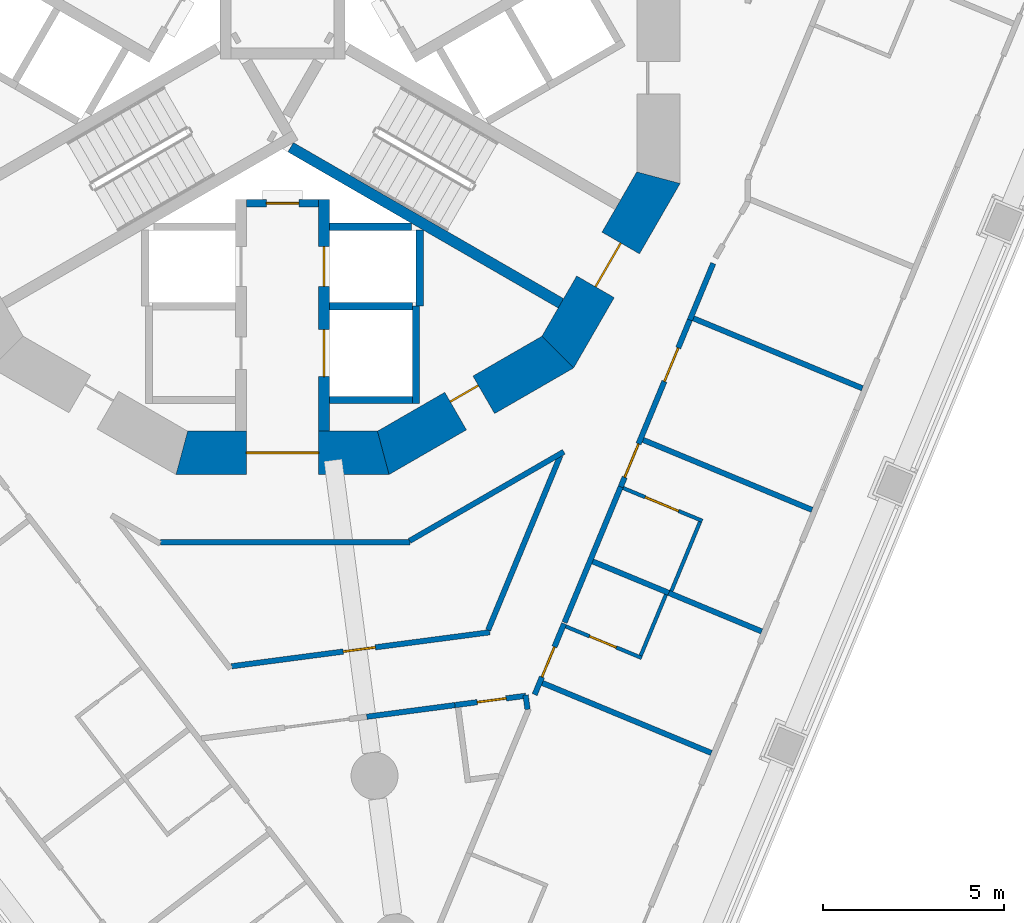
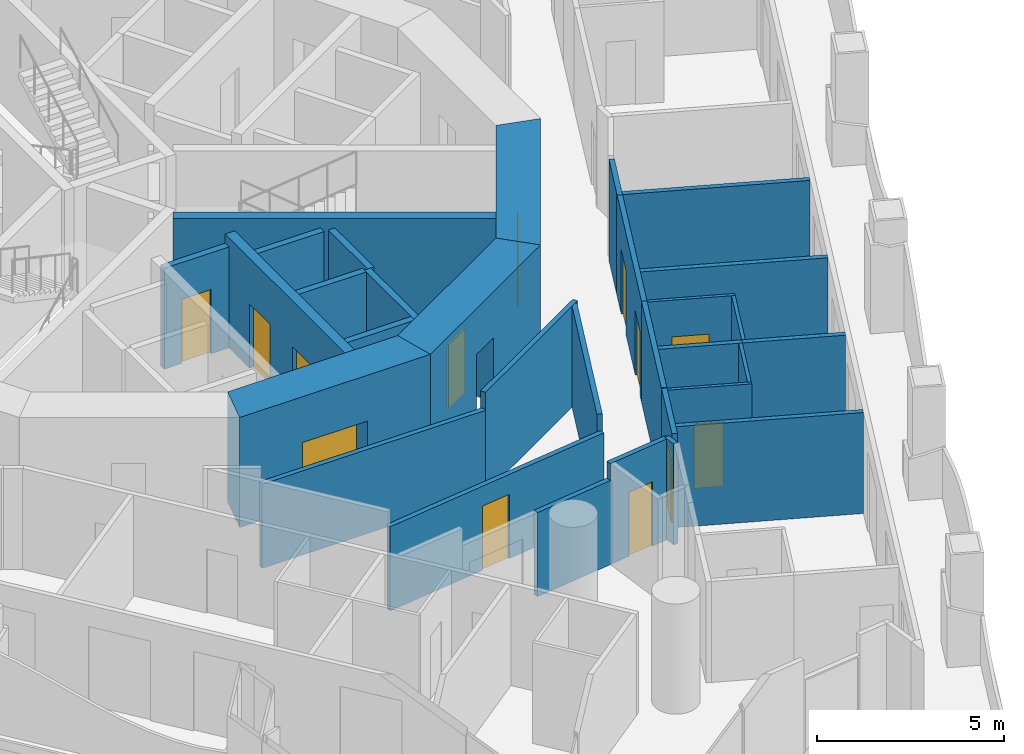
# One storey, part 4 of 19: 31 walls, 13 doors, 13 openings.
"""IFC4 building model written with IfcOpenShell, lengths in metres."""

from ifc_helpers import new_model, si_unit, direction, frame, frame_2d, origin, place, context, subcontext, project, spatial, polyline, rectangle, outline, extrude, material, layer, layer_set, type_object, element, fill, save


model = new_model("IFC4")

# Units and contexts
model_context = context("Model", 3, precision=1e-05, world=origin(), true_north=direction((0.0, 1.0)))
body_context = subcontext(model_context, "Body", "Model", "MODEL_VIEW")
ifc_project = project(units=[si_unit("LENGTHUNIT", "METRE"), si_unit("AREAUNIT", "SQUARE_METRE"), si_unit("VOLUMEUNIT", "CUBIC_METRE"), si_unit("PLANEANGLEUNIT", "RADIAN"), si_unit("MASSUNIT", "GRAM", prefix="KILO")], contexts=[model_context])

# Site, building, storey
site_placement = place(None, origin())
site = spatial("IfcSite", under=ifc_project, at=site_placement, CompositionType="ELEMENT")
building_placement = place(site_placement, origin())
building = spatial("IfcBuilding", under=site, at=building_placement, Name="Trine Commons Tower", CompositionType="ELEMENT")
storey_placement = place(building_placement, frame((0.0, 0.0, 61.199951171875)))
storey = spatial("IfcBuildingStorey", under=building, at=storey_placement, Name="L14", CompositionType="ELEMENT", Elevation=61.199951171875)

# Wall, opening, door
ifc_material_1 = material(Name="Fire-rated gypsum shaft wall system")
ifc_layer_1 = layer(ifc_material_1, 0.199951171875)
ifc_layer_set_1 = layer_set([ifc_layer_1], Name="Fire-rated gypsum shaft wall system")
wall_type_1 = type_object("IfcWallType", Name="Lobby end wall 200 mm, EI 120", PredefinedType="PARTITIONING", material=ifc_layer_set_1)
wall_1_placement = place(storey_placement, frame((79.0, 59.0, 0.0), z_axis=(0.0, 0.0, 1.0), x_axis=(1.0, 0.0, 0.0)))
wall_1 = element("IfcWall", 1, at=wall_1_placement, inside=storey, type_object=wall_type_1, Name="Lobby end wall L14", PredefinedType="PARTITIONING", context=body_context, shape_type="SweptSolid", body=[
    extrude(rectangle(XDim=2.0, YDim=0.199951171875, at=frame_2d((1.0, 0.0))), origin(), (0.0, 0.0, 1.0), 3.300048828125),
])
opening_1_placement = place(wall_1_placement, frame((0.550048828125, 0.0, 0.0)))
opening_1 = element("IfcOpeningElement", 2, at=opening_1_placement, cuts=wall_1, Name="Opening K05.09", PredefinedType="OPENING", context=body_context, shape_type="SweptSolid", body=[
    extrude(rectangle(XDim=0.89990234375, YDim=2.10009765625, at=frame_2d((0.449951171875, 1.050048828125))), frame((0.0, 0.10986328125, 0.0), z_axis=(0.0, -1.0, 0.0), x_axis=(1.0, 0.0, 0.0)), (0.0, 0.0, 1.0), 0.219970703125),
])
ifc_material_2 = material(Name="Steel door leaf, fire-rated", Category="steel")
door_type_1 = type_object("IfcDoorType", Name="Riser access door, single leaf 900 x 2100, FD60", OperationType="SINGLE_SWING_LEFT", PredefinedType="DOOR", material=ifc_material_2)
door_1_placement = place(opening_1_placement, frame((0.89990234375, 0.0, 0.0), z_axis=(0.0, 0.0, 1.0), x_axis=(-1.0, 0.0, 0.0)))
door_1 = element("IfcDoor", 3, at=door_1_placement, inside=storey, type_object=door_type_1, Name="Riser door, Communications riser L14", OperationType="SINGLE_SWING_RIGHT", OverallHeight=2.10009765625, OverallWidth=0.89990234375, PredefinedType="DOOR", context=body_context, shape_type="SweptSolid", body=[
    extrude(rectangle(XDim=0.89990234375, YDim=2.10009765625, at=frame_2d((0.449951171875, 1.050048828125))), frame((0.0, 0.02490234375, 0.0), z_axis=(0.0, -1.0, 0.0), x_axis=(1.0, 0.0, 0.0)), (0.0, 0.0, 1.0), 0.050048828125),
])
fill(opening_1, door_1)

ifc_material_3 = material(Name="Concrete C80/95", Category="concrete")
ifc_layer_2 = layer(ifc_material_3, 1.199951171875)
ifc_layer_set_2 = layer_set([ifc_layer_2], Name="Concrete C80/95")
wall_type_2 = type_object("IfcWallType", Name="RC shear wall 1200 mm, C80/95", PredefinedType="SHEAR", material=ifc_layer_set_2)
wall_2_placement = place(storey_placement, frame((77.049560546875, 52.08837890625, 0.0), z_axis=(0.0, 0.0, 1.0), x_axis=(1.0, 0.0, 0.0)))
wall_2 = element("IfcWall", 4, at=wall_2_placement, inside=storey, type_object=wall_type_2, Name="Core wall CWB-10 L14", PredefinedType="SHEAR", context=body_context, shape_type="SweptSolid", body=[
    extrude(outline(polyline([(0.0, -0.60009765625), (5.90087890625, -0.60009765625), (5.57958984375, 0.60009765625), (0.321533203125, 0.60009765625), (0.0, -0.60009765625)])), origin(), (0.0, 0.0, 1.0), 3.60009765625),
])
opening_2_placement = place(wall_2_placement, frame((1.950439453125, 0.0, 0.0)))
opening_2 = element("IfcOpeningElement", 5, at=opening_2_placement, cuts=wall_2, Name="Opening K05.08", PredefinedType="OPENING", context=body_context, shape_type="SweptSolid", body=[
    extrude(rectangle(XDim=2.0, YDim=2.10009765625, at=frame_2d((1.0, 1.050048828125))), frame((0.0, 0.60986328125, 0.0), z_axis=(0.0, -1.0, 0.0), x_axis=(1.0, 0.0, 0.0)), (0.0, 0.0, 1.0), 1.219970703125),
])
ifc_material_4 = material(Name="Steel door leaves, fire-rated", Category="steel")
door_type_2 = type_object("IfcDoorType", Name="Lobby door, double leaf 2000 x 2100, FD60", OperationType="DOUBLE_DOOR_SINGLE_SWING", PredefinedType="DOOR", material=ifc_material_4)
door_2_placement = place(opening_2_placement, origin())
door_2 = element("IfcDoor", 6, at=door_2_placement, inside=storey, type_object=door_type_2, Name="Lobby door, Service and firefighting lobby L14", OperationType="DOUBLE_DOOR_SINGLE_SWING", OverallHeight=2.10009765625, OverallWidth=2.0, PredefinedType="DOOR", context=body_context, shape_type="SweptSolid", body=[
    extrude(rectangle(XDim=2.0, YDim=2.10009765625, at=frame_2d((1.0, 1.050048828125))), frame((0.0, 0.02490234375, 0.0), z_axis=(0.0, -1.0, 0.0), x_axis=(1.0, 0.0, 0.0)), (0.0, 0.0, 1.0), 0.050048828125),
])
fill(opening_2, door_2)

wall_3_placement = place(storey_placement, frame((82.650390625, 52.008056640625, 0.0), z_axis=(0.0, 0.0, 1.0), x_axis=(0.866037463336, 0.499979111662, 0.0)))
wall_3 = element("IfcWall", 7, at=wall_3_placement, inside=storey, type_object=wall_type_2, Name="Core wall CWB-11 L14", PredefinedType="SHEAR", context=body_context, shape_type="SweptSolid", body=[
    extrude(outline(polyline([(0.0, -0.60009765625), (5.901123046875, -0.60009765625), (5.57958984375, 0.60009765625), (0.321533203125, 0.60009765625), (0.0, -0.60009765625)])), origin(), (0.0, 0.0, 1.0), 3.60009765625),
])
opening_3_placement = place(wall_3_placement, frame((2.474853515625, 0.0, 0.0)))
opening_3 = element("IfcOpeningElement", 8, at=opening_3_placement, cuts=wall_3, Name="Opening K05.15", PredefinedType="OPENING", context=body_context, shape_type="SweptSolid", body=[
    extrude(rectangle(XDim=0.89990234375, YDim=2.10009765625, at=frame_2d((0.449951171875, 1.050048828125))), frame((0.0, 0.60986328125, 0.0), z_axis=(0.0, -1.0, 0.0), x_axis=(1.0, 0.0, 0.0)), (0.0, 0.0, 1.0), 1.219970703125),
])
door_type_3 = type_object("IfcDoorType", Name="Core room door, single leaf 900 x 2100, FD30S", OperationType="SINGLE_SWING_LEFT", PredefinedType="DOOR", material=ifc_material_2)
door_3_placement = place(opening_3_placement, origin())
door_3 = element("IfcDoor", 9, at=door_3_placement, inside=storey, type_object=door_type_3, Name="Door to Core WC L14", OperationType="SINGLE_SWING_LEFT", OverallHeight=2.10009765625, OverallWidth=0.89990234375, PredefinedType="DOOR", context=body_context, shape_type="SweptSolid", body=[
    extrude(rectangle(XDim=0.89990234375, YDim=2.10009765625, at=frame_2d((0.449951171875, 1.050048828125))), frame((0.0, 0.3251953125, 0.0), z_axis=(0.0, -1.0, 0.0), x_axis=(1.0, 0.0, 0.0)), (0.0, 0.0, 1.0), 0.050048828125),
])
fill(opening_3, door_3)

wall_4_placement = place(storey_placement, frame((87.54150390625, 54.739013671875, 0.0), z_axis=(0.0, 0.0, 1.0), x_axis=(0.499979111662, 0.866037463336, 0.0)))
wall_4 = element("IfcWall", 10, at=wall_4_placement, inside=storey, type_object=wall_type_2, Name="Core wall CWB-12 L14", PredefinedType="SHEAR", context=body_context, shape_type="SweptSolid", body=[
    extrude(outline(polyline([(0.0, -0.60009765625), (5.901123046875, -0.60009765625), (5.57958984375, 0.60009765625), (0.321533203125, 0.60009765625), (0.0, -0.60009765625)])), origin(), (0.0, 0.0, 1.0), 3.60009765625),
])
opening_4_placement = place(wall_4_placement, frame((2.25048828125, 0.0, 0.0)))
opening_4 = element("IfcOpeningElement", 11, at=opening_4_placement, cuts=wall_4, Name="Opening K05.03", PredefinedType="OPENING", context=body_context, shape_type="SweptSolid", body=[
    extrude(rectangle(XDim=1.39990234375, YDim=2.10009765625, at=frame_2d((0.699951171875, 1.050048828125))), frame((0.0, 0.60986328125, 0.0), z_axis=(0.0, -1.0, 0.0), x_axis=(1.0, 0.0, 0.0)), (0.0, 0.0, 1.0), 1.219970703125),
])
door_type_4 = type_object("IfcDoorType", Name="Stair door, double leaf 1400 x 2100, FD90", OperationType="DOUBLE_DOOR_SINGLE_SWING", PredefinedType="DOOR", material=ifc_material_4)
door_4_placement = place(opening_4_placement, origin())
door_4 = element("IfcDoor", 12, at=door_4_placement, inside=storey, type_object=door_type_4, Name="Stair door to Exit stair ST3A L14", OperationType="DOUBLE_DOOR_SINGLE_SWING", OverallHeight=2.10009765625, OverallWidth=1.39990234375, PredefinedType="DOOR", context=body_context, shape_type="SweptSolid", body=[
    extrude(rectangle(XDim=1.39990234375, YDim=2.10009765625, at=frame_2d((0.699951171875, 1.050048828125))), frame((0.0, 0.02490234375, 0.0), z_axis=(0.0, -1.0, 0.0), x_axis=(1.0, 0.0, 0.0)), (0.0, 0.0, 1.0), 0.050048828125),
])
fill(opening_4, door_4)

# Wall, openings, doors
ifc_layer_3 = layer(ifc_material_3, 0.300048828125)
ifc_layer_set_3 = layer_set([ifc_layer_3], Name="Concrete C80/95")
wall_type_3 = type_object("IfcWallType", Name="RC shear wall 300 mm, C80/95", PredefinedType="SHEAR", material=ifc_layer_set_3)
wall_5_placement = place(storey_placement, frame((81.14990234375, 59.10009765625, 0.0), z_axis=(0.0, 0.0, 1.0), x_axis=(0.0, -1.0, 0.0)))
wall_5 = element("IfcWall", 13, at=wall_5_placement, inside=storey, type_object=wall_type_3, Name="Core cross wall SWA-04 L14", PredefinedType="SHEAR", context=body_context, shape_type="SweptSolid", body=[
    extrude(rectangle(XDim=6.412109375, YDim=0.300048828125, at=frame_2d((3.2060546875, 0.0))), origin(), (0.0, 0.0, 1.0), 3.60009765625),
])
opening_5_placement = place(wall_5_placement, frame((3.60009765625, 0.0, 0.0)))
opening_5 = element("IfcOpeningElement", 14, at=opening_5_placement, cuts=wall_5, Name="Opening LD11", PredefinedType="OPENING", context=body_context, shape_type="SweptSolid", body=[
    extrude(rectangle(XDim=1.300048828125, YDim=2.10009765625, at=frame_2d((0.64990234375, 1.050048828125))), frame((0.0, 0.159912109375, 0.0), z_axis=(0.0, -1.0, 0.0), x_axis=(1.0, 0.0, 0.0)), (0.0, 0.0, 1.0), 0.320068359375),
])
opening_6_placement = place(wall_5_placement, frame((1.300048828125, 0.0, 0.0)))
opening_6 = element("IfcOpeningElement", 15, at=opening_6_placement, cuts=wall_5, Name="Opening LD9", PredefinedType="OPENING", context=body_context, shape_type="SweptSolid", body=[
    extrude(rectangle(XDim=1.10009765625, YDim=2.10009765625, at=frame_2d((0.550048828125, 1.050048828125))), frame((0.0, 0.159912109375, 0.0), z_axis=(0.0, -1.0, 0.0), x_axis=(1.0, 0.0, 0.0)), (0.0, 0.0, 1.0), 0.320068359375),
])
ifc_material_5 = material(Name="Stainless steel sliding door leaves", Category="steel")
door_type_5 = type_object("IfcDoorType", Name="Lift landing door, centre-opening sliding 1100 x 2100, FD90", OperationType="DOUBLE_DOOR_SLIDING", PredefinedType="DOOR", material=ifc_material_5)
door_5_placement = place(opening_6_placement, origin())
door_5 = element("IfcDoor", 16, at=door_5_placement, inside=storey, type_object=door_type_5, Name="Lift landing door FF1 L14", OperationType="DOUBLE_DOOR_SLIDING", OverallHeight=2.10009765625, OverallWidth=1.10009765625, PredefinedType="DOOR", context=body_context, shape_type="SweptSolid", body=[
    extrude(rectangle(XDim=1.10009765625, YDim=2.10009765625, at=frame_2d((0.550048828125, 1.050048828125))), frame((0.0, 0.02490234375, 0.0), z_axis=(0.0, -1.0, 0.0), x_axis=(1.0, 0.0, 0.0)), (0.0, 0.0, 1.0), 0.050048828125),
])
fill(opening_6, door_5)
door_type_6 = type_object("IfcDoorType", Name="Lift landing door, centre-opening sliding 1300 x 2100, FD90", OperationType="DOUBLE_DOOR_SLIDING", PredefinedType="DOOR", material=ifc_material_5)
door_6_placement = place(opening_5_placement, origin())
door_6 = element("IfcDoor", 17, at=door_6_placement, inside=storey, type_object=door_type_6, Name="Lift landing door G1 L14", OperationType="DOUBLE_DOOR_SLIDING", OverallHeight=2.10009765625, OverallWidth=1.300048828125, PredefinedType="DOOR", context=body_context, shape_type="SweptSolid", body=[
    extrude(rectangle(XDim=1.300048828125, YDim=2.10009765625, at=frame_2d((0.64990234375, 1.050048828125))), frame((0.0, 0.02490234375, 0.0), z_axis=(0.0, -1.0, 0.0), x_axis=(1.0, 0.0, 0.0)), (0.0, 0.0, 1.0), 0.050048828125),
])
fill(opening_5, door_6)

# Walls
wall_6_placement = place(storey_placement, frame((80.22509765625, 60.552001953125, 0.0), z_axis=(0.0, 0.0, 1.0), x_axis=(0.865965399159, -0.500103916661, 0.0)))
element("IfcWall", 18, at=wall_6_placement, inside=storey, type_object=wall_type_3, Name="Core cross wall SWA-13 L14", PredefinedType="SHEAR", context=body_context, shape_type="SweptSolid", body=[
    extrude(rectangle(XDim=8.642333984375, YDim=0.300048828125, at=frame_2d((4.3212890625, 0.0))), origin(), (0.0, 0.0, 1.0), 3.60009765625),
])
ifc_layer_4 = layer(ifc_material_1, 0.199951171875)
ifc_layer_set_4 = layer_set([ifc_layer_4], Name="Fire-rated gypsum shaft wall system")
wall_type_4 = type_object("IfcWallType", Name="Shaft wall 200 mm, EI 120", PredefinedType="PARTITIONING", material=ifc_layer_set_4)
for number, where, z_axis, x_axis, name in (
    (19, (81.300048828125, 53.550048828125, 0.0), (0.0, 0.0, 1.0), (1.0, 0.0, 0.0), "Shaft wall L14"),
    (20, (81.300048828125, 56.14990234375, 0.0), (0.0, 0.0, 1.0), (1.0, 0.0, 0.0), "Shaft wall L14"),
):
    element("IfcWall", number, at=place(storey_placement, frame(where, z_axis=z_axis, x_axis=x_axis)), inside=storey, type_object=wall_type_4, Name=name, PredefinedType="PARTITIONING", context=body_context, shape_type="SweptSolid", body=[
        extrude(rectangle(XDim=2.300048828125, YDim=0.199951171875, at=frame_2d((1.14990234375, 0.0))), origin(), (0.0, 0.0, 1.0), 3.300048828125),
    ])
wall_7_placement = place(storey_placement, frame((81.300048828125, 58.35009765625, 0.0), z_axis=(0.0, 0.0, 1.0), x_axis=(1.0, 0.0, 0.0)))
element("IfcWall", 21, at=wall_7_placement, inside=storey, type_object=wall_type_4, Name="Shaft wall L14", PredefinedType="PARTITIONING", context=body_context, shape_type="SweptSolid", body=[
    extrude(rectangle(XDim=2.264892578125, YDim=0.199951171875, at=frame_2d((1.13232421875, 0.0))), origin(), (0.0, 0.0, 1.0), 3.300048828125),
])
wall_8_placement = place(storey_placement, frame((83.699951171875, 56.14990234375, 0.0), z_axis=(0.0, 0.0, 1.0), x_axis=(0.0, -1.0, 0.0)))
element("IfcWall", 22, at=wall_8_placement, inside=storey, type_object=wall_type_4, Name="Shaft wall L14", PredefinedType="PARTITIONING", context=body_context, shape_type="SweptSolid", body=[
    extrude(rectangle(XDim=2.699951171875, YDim=0.199951171875, at=frame_2d((1.35009765625, 0.0))), origin(), (0.0, 0.0, 1.0), 3.300048828125),
])
wall_9_placement = place(storey_placement, frame((83.800048828125, 58.256103515625, 0.0), z_axis=(0.0, 0.0, 1.0), x_axis=(0.0, -1.0, 0.0)))
element("IfcWall", 23, at=wall_9_placement, inside=storey, type_object=wall_type_4, Name="Shaft wall L14", PredefinedType="PARTITIONING", context=body_context, shape_type="SweptSolid", body=[
    extrude(rectangle(XDim=2.106201171875, YDim=0.199951171875, at=frame_2d((1.05322265625, 0.0))), origin(), (0.0, 0.0, 1.0), 3.300048828125),
])
ifc_material_6 = material(Name="Gypsum plasterboard on steel stud", Category="steel")
ifc_layer_5 = layer(ifc_material_6, 0.14990234375)
ifc_layer_set_5 = layer_set([ifc_layer_5], Name="Gypsum plasterboard on steel stud")
wall_type_5 = type_object("IfcWallType", Name="Unit and corridor wall 150 mm, EI 60", PredefinedType="PARTITIONING", material=ifc_layer_set_5)
wall_10_placement = place(storey_placement, frame((76.6220703125, 49.613037109375, 0.0), z_axis=(0.0, 0.0, 1.0), x_axis=(1.0, 0.0, 0.0)))
element("IfcWall", 24, at=wall_10_placement, inside=storey, type_object=wall_type_5, Name="Partition 070", PredefinedType="PARTITIONING", context=body_context, shape_type="SweptSolid", body=[
    extrude(rectangle(XDim=6.906005859375, YDim=0.14990234375, at=frame_2d((3.453125, 0.0))), origin(), (0.0, 0.0, 1.0), 2.75),
])

# Wall, opening, door
wall_11_placement = place(storey_placement, frame((78.58642578125, 46.177734375, 0.0), z_axis=(0.0, 0.0, 1.0), x_axis=(0.991437356371, 0.130583185714, 0.0)))
wall_11 = element("IfcWall", 25, at=wall_11_placement, inside=storey, type_object=wall_type_5, Name="Partition 076", PredefinedType="PARTITIONING", context=body_context, shape_type="SweptSolid", body=[
    extrude(rectangle(XDim=7.21484375, YDim=0.14990234375, at=frame_2d((3.607421875, 0.0))), origin(), (0.0, 0.0, 1.0), 2.75),
])
opening_7_placement = place(wall_11_placement, frame((3.119873046875, 0.0, 0.0)))
opening_7 = element("IfcOpeningElement", 26, at=opening_7_placement, cuts=wall_11, Name="Opening D-2B31", PredefinedType="OPENING", context=body_context, shape_type="SweptSolid", body=[
    extrude(rectangle(XDim=0.89990234375, YDim=2.10009765625, at=frame_2d((0.449951171875, 1.050048828125))), frame((0.0, 0.0849609375, 0.0), z_axis=(0.0, -1.0, 0.0), x_axis=(1.0, 0.0, 0.0)), (0.0, 0.0, 1.0), 0.169921875),
])
ifc_material_7 = material(Name="Timber fire door set", Category="wood")
door_type_7 = type_object("IfcDoorType", Name="Service door 900 x 2100, FD30S", OperationType="NOTDEFINED", PredefinedType="DOOR", material=ifc_material_7)
door_7_placement = place(opening_7_placement, origin())
door_7 = element("IfcDoor", 27, at=door_7_placement, inside=storey, type_object=door_type_7, Name="Door D-2B31", OperationType="SINGLE_SWING_LEFT", OverallHeight=2.10009765625, OverallWidth=0.89990234375, PredefinedType="DOOR", context=body_context, shape_type="SweptSolid", body=[
    extrude(rectangle(XDim=0.89990234375, YDim=2.10009765625, at=frame_2d((0.449951171875, 1.050048828125))), frame((0.0, 0.02490234375, 0.0), z_axis=(0.0, -1.0, 0.0), x_axis=(1.0, 0.0, 0.0)), (0.0, 0.0, 1.0), 0.050048828125),
])
fill(opening_7, door_7)

# Walls
wall_12_placement = place(storey_placement, frame((82.3330078125, 44.780029296875, 0.0), z_axis=(0.0, 0.0, 1.0), x_axis=(0.991416071527, 0.130744686764, 0.0)))
element("IfcWall", 28, at=wall_12_placement, inside=storey, type_object=wall_type_5, Name="Partition 082", PredefinedType="PARTITIONING", context=body_context, shape_type="SweptSolid", body=[
    extrude(rectangle(XDim=2.524658203125, YDim=0.14990234375, at=frame_2d((1.26220703125, 0.0))), origin(), (0.0, 0.0, 1.0), 2.75),
])
wall_13_placement = place(storey_placement, frame((83.517822265625, 49.650390625, 0.0), z_axis=(0.0, 0.0, 1.0), x_axis=(0.865971288988, 0.500093717866, 0.0)))
element("IfcWall", 29, at=wall_13_placement, inside=storey, type_object=wall_type_5, Name="Partition 084", PredefinedType="PARTITIONING", context=body_context, shape_type="SweptSolid", body=[
    extrude(rectangle(XDim=4.93310546875, YDim=0.14990234375, at=frame_2d((2.466552734375, 0.0))), origin(), (0.0, 0.0, 1.0), 3.300048828125),
])

# Wall, opening, door
wall_14_placement = place(storey_placement, frame((84.772705078125, 45.102294921875, 0.0), z_axis=(0.0, 0.0, 1.0), x_axis=(0.991450105095, 0.130486356022, 0.0)))
wall_14 = element("IfcWall", 30, at=wall_14_placement, inside=storey, type_object=wall_type_5, Name="Partition 087", PredefinedType="PARTITIONING", context=body_context, shape_type="SweptSolid", body=[
    extrude(rectangle(XDim=1.983154296875, YDim=0.14990234375, at=frame_2d((0.99169921875, 0.0))), origin(), (0.0, 0.0, 1.0), 3.300048828125),
])
opening_8_placement = place(wall_14_placement, frame((0.629150390625, 0.0, 0.0)))
opening_8 = element("IfcOpeningElement", 31, at=opening_8_placement, cuts=wall_14, Name="Opening D-2B05", PredefinedType="OPENING", context=body_context, shape_type="SweptSolid", body=[
    extrude(rectangle(XDim=0.800048828125, YDim=2.10009765625, at=frame_2d((0.39990234375, 1.050048828125))), frame((0.0, 0.0849609375, 0.0), z_axis=(0.0, -1.0, 0.0), x_axis=(1.0, 0.0, 0.0)), (0.0, 0.0, 1.0), 0.169921875),
])
ifc_material_8 = material(Name="Painted timber", Category="wood")
door_type_8 = type_object("IfcDoorType", Name="Toilet door 800 x 2100, NOT RATED", OperationType="NOTDEFINED", PredefinedType="DOOR", material=ifc_material_8)
door_8_placement = place(opening_8_placement, frame((0.800048828125, 0.0, 0.0), z_axis=(0.0, 0.0, 1.0), x_axis=(-1.0, 0.0, 0.0)))
door_8 = element("IfcDoor", 32, at=door_8_placement, inside=storey, type_object=door_type_8, Name="Door D-2B05", OperationType="SINGLE_SWING_LEFT", OverallHeight=2.10009765625, OverallWidth=0.800048828125, PredefinedType="DOOR", context=body_context, shape_type="SweptSolid", body=[
    extrude(rectangle(XDim=0.800048828125, YDim=2.10009765625, at=frame_2d((0.39990234375, 1.050048828125))), frame((0.0, 0.02490234375, 0.0), z_axis=(0.0, -1.0, 0.0), x_axis=(1.0, 0.0, 0.0)), (0.0, 0.0, 1.0), 0.050048828125),
])
fill(opening_8, door_8)

# Walls
wall_15_placement = place(storey_placement, frame((85.693603515625, 47.17919921875, 0.0), z_axis=(0.0, 0.0, 1.0), x_axis=(0.382564920946, 0.923928612643, 0.0)))
element("IfcWall", 33, at=wall_15_placement, inside=storey, type_object=wall_type_5, Name="Partition 094", PredefinedType="PARTITIONING", context=body_context, shape_type="SweptSolid", body=[
    extrude(rectangle(XDim=5.227294921875, YDim=0.14990234375, at=frame_2d((2.61376953125, 0.0))), origin(), (0.0, 0.0, 1.0), 3.300048828125),
])
wall_16_placement = place(storey_placement, frame((86.732177734375, 45.380859375, 0.0), z_axis=(0.0, 0.0, 1.0), x_axis=(0.131843859112, -0.99127049629, 0.0)))
element("IfcWall", 34, at=wall_16_placement, inside=storey, type_object=wall_type_5, Name="Partition 099", PredefinedType="PARTITIONING", context=body_context, shape_type="SweptSolid", body=[
    extrude(rectangle(XDim=0.39990234375, YDim=0.14990234375, at=frame_2d((0.199951171875, 0.0))), origin(), (0.0, 0.0, 1.0), 3.300048828125),
])

# Wall, opening, door
wall_17_placement = place(storey_placement, frame((86.98291015625, 45.39306640625, 0.0), z_axis=(0.0, 0.0, 1.0), x_axis=(0.382618621816, 0.923906375257, 0.0)))
wall_17 = element("IfcWall", 35, at=wall_17_placement, inside=storey, type_object=wall_type_5, Name="Partition 100", PredefinedType="PARTITIONING", context=body_context, shape_type="SweptSolid", body=[
    extrude(rectangle(XDim=2.1279296875, YDim=0.14990234375, at=frame_2d((1.06396484375, 0.0))), origin(), (0.0, 0.0, 1.0), 3.300048828125),
])
opening_9_placement = place(wall_17_placement, frame((0.52978515625, 0.0, 0.0)))
opening_9 = element("IfcOpeningElement", 36, at=opening_9_placement, cuts=wall_17, Name="Opening D-2B21", PredefinedType="OPENING", context=body_context, shape_type="SweptSolid", body=[
    extrude(rectangle(XDim=0.89990234375, YDim=2.10009765625, at=frame_2d((0.449951171875, 1.050048828125))), frame((0.0, 0.0849609375, 0.0), z_axis=(0.0, -1.0, 0.0), x_axis=(1.0, 0.0, 0.0)), (0.0, 0.0, 1.0), 0.169921875),
])
door_type_9 = type_object("IfcDoorType", Name="Bedroom door 900 x 2100, FD30S", OperationType="NOTDEFINED", PredefinedType="DOOR", material=ifc_material_7)
door_9_placement = place(opening_9_placement, frame((0.89990234375, 0.0, 0.0), z_axis=(0.0, 0.0, 1.0), x_axis=(-1.0, 0.0, 0.0)))
door_9 = element("IfcDoor", 37, at=door_9_placement, inside=storey, type_object=door_type_9, Name="Door D-2B21", OperationType="SINGLE_SWING_RIGHT", OverallHeight=2.10009765625, OverallWidth=0.89990234375, PredefinedType="DOOR", context=body_context, shape_type="SweptSolid", body=[
    extrude(rectangle(XDim=0.89990234375, YDim=2.10009765625, at=frame_2d((0.449951171875, 1.050048828125))), frame((0.0, 0.02490234375, 0.0), z_axis=(0.0, -1.0, 0.0), x_axis=(1.0, 0.0, 0.0)), (0.0, 0.0, 1.0), 0.050048828125),
])
fill(opening_9, door_9)

# Walls
wall_18_placement = place(storey_placement, frame((87.197265625, 45.71533203125, 0.0), z_axis=(0.0, 0.0, 1.0), x_axis=(0.923879340067, -0.382683896966, 0.0)))
element("IfcWall", 38, at=wall_18_placement, inside=storey, type_object=wall_type_5, Name="Partition 101", PredefinedType="PARTITIONING", context=body_context, shape_type="SweptSolid", body=[
    extrude(rectangle(XDim=5.064208984375, YDim=0.14990234375, at=frame_2d((2.5322265625, 0.0))), origin(), (0.0, 0.0, 1.0), 3.300048828125),
])
wall_19_placement = place(storey_placement, frame((87.81103515625, 47.39306640625, 0.0), z_axis=(0.0, 0.0, 1.0), x_axis=(0.382686112844, 0.923878422216, 0.0)))
element("IfcWall", 39, at=wall_19_placement, inside=storey, type_object=wall_type_5, Name="Partition 103", PredefinedType="PARTITIONING", context=body_context, shape_type="SweptSolid", body=[
    extrude(rectangle(XDim=4.063232421875, YDim=0.14990234375, at=frame_2d((2.03173828125, 0.0))), origin(), (0.0, 0.0, 1.0), 3.300048828125),
])
wall_20_placement = place(storey_placement, frame((88.59130859375, 49.081298828125, 0.0), z_axis=(0.0, 0.0, 1.0), x_axis=(0.924031187157, -0.382317100274, 0.0)))
element("IfcWall", 40, at=wall_20_placement, inside=storey, type_object=wall_type_5, Name="Partition 106", PredefinedType="PARTITIONING", context=body_context, shape_type="SweptSolid", body=[
    extrude(rectangle(XDim=2.279052734375, YDim=0.14990234375, at=frame_2d((1.1396484375, 0.0))), origin(), (0.0, 0.0, 1.0), 3.300048828125),
])

# Wall, openings, doors
wall_21_placement = place(storey_placement, frame((89.343994140625, 51.0927734375, 0.0), z_axis=(0.0, 0.0, 1.0), x_axis=(0.38248170609, 0.923963064471, 0.0)))
wall_21 = element("IfcWall", 41, at=wall_21_placement, inside=storey, type_object=wall_type_5, Name="Partition 108", PredefinedType="PARTITIONING", context=body_context, shape_type="SweptSolid", body=[
    extrude(rectangle(XDim=5.1455078125, YDim=0.14990234375, at=frame_2d((2.57275390625, 0.0))), origin(), (0.0, 0.0, 1.0), 3.300048828125),
])
opening_10_placement = place(wall_21_placement, frame((3.22021484375, 0.0, 0.0)))
opening_10 = element("IfcOpeningElement", 42, at=opening_10_placement, cuts=wall_21, Name="Opening D-2B19", PredefinedType="OPENING", context=body_context, shape_type="SweptSolid", body=[
    extrude(rectangle(XDim=1.0, YDim=2.10009765625, at=frame_2d((0.5, 1.050048828125))), frame((0.0, 0.0849609375, 0.0), z_axis=(0.0, -1.0, 0.0), x_axis=(1.0, 0.0, 0.0)), (0.0, 0.0, 1.0), 0.169921875),
])
opening_11_placement = place(wall_21_placement, frame((0.34716796875, 0.0, 0.0)))
opening_11 = element("IfcOpeningElement", 43, at=opening_11_placement, cuts=wall_21, Name="Opening D-2B20", PredefinedType="OPENING", context=body_context, shape_type="SweptSolid", body=[
    extrude(rectangle(XDim=1.0, YDim=2.10009765625, at=frame_2d((0.5, 1.050048828125))), frame((0.0, 0.0849609375, 0.0), z_axis=(0.0, -1.0, 0.0), x_axis=(1.0, 0.0, 0.0)), (0.0, 0.0, 1.0), 0.169921875),
])
door_type_10 = type_object("IfcDoorType", Name="Amenity room door 1000 x 2100, NOT RATED", OperationType="NOTDEFINED", PredefinedType="DOOR", material=ifc_material_8)
door_10_placement = place(opening_10_placement, frame((1.0, 0.0, 0.0), z_axis=(0.0, 0.0, 1.0), x_axis=(-1.0, 0.0, 0.0)))
door_10 = element("IfcDoor", 44, at=door_10_placement, inside=storey, type_object=door_type_10, Name="Door D-2B19", OperationType="SINGLE_SWING_LEFT", OverallHeight=2.10009765625, OverallWidth=1.0, PredefinedType="DOOR", context=body_context, shape_type="SweptSolid", body=[
    extrude(rectangle(XDim=1.0, YDim=2.10009765625, at=frame_2d((0.5, 1.050048828125))), frame((0.0, 0.02490234375, 0.0), z_axis=(0.0, -1.0, 0.0), x_axis=(1.0, 0.0, 0.0)), (0.0, 0.0, 1.0), 0.050048828125),
])
fill(opening_10, door_10)
door_type_11 = type_object("IfcDoorType", Name="Bedroom door 1000 x 2100, FD30S", OperationType="NOTDEFINED", PredefinedType="DOOR", material=ifc_material_7)
door_11_placement = place(opening_11_placement, frame((1.0, 0.0, 0.0), z_axis=(0.0, 0.0, 1.0), x_axis=(-1.0, 0.0, 0.0)))
door_11 = element("IfcDoor", 45, at=door_11_placement, inside=storey, type_object=door_type_11, Name="Door D-2B20", OperationType="SINGLE_SWING_RIGHT", OverallHeight=2.10009765625, OverallWidth=1.0, PredefinedType="DOOR", context=body_context, shape_type="SweptSolid", body=[
    extrude(rectangle(XDim=1.0, YDim=2.10009765625, at=frame_2d((0.5, 1.050048828125))), frame((0.0, 0.02490234375, 0.0), z_axis=(0.0, -1.0, 0.0), x_axis=(1.0, 0.0, 0.0)), (0.0, 0.0, 1.0), 0.050048828125),
])
fill(opening_11, door_11)

# Walls
wall_22_placement = place(storey_placement, frame((89.986328125, 52.447265625, 0.0), z_axis=(0.0, 0.0, 1.0), x_axis=(0.923879340067, -0.382683896966, 0.0)))
element("IfcWall", 46, at=wall_22_placement, inside=storey, type_object=wall_type_5, Name="Partition 113", PredefinedType="PARTITIONING", context=body_context, shape_type="SweptSolid", body=[
    extrude(rectangle(XDim=5.064208984375, YDim=0.14990234375, at=frame_2d((2.5322265625, 0.0))), origin(), (0.0, 0.0, 1.0), 3.300048828125),
])
wall_23_placement = place(storey_placement, frame((90.69384765625, 48.211181640625, 0.0), z_axis=(0.0, 0.0, 1.0), x_axis=(0.923779882509, -0.382923920214, 0.0)))
element("IfcWall", 47, at=wall_23_placement, inside=storey, type_object=wall_type_5, Name="Partition 118", PredefinedType="PARTITIONING", context=body_context, shape_type="SweptSolid", body=[
    extrude(rectangle(XDim=2.788818359375, YDim=0.14990234375, at=frame_2d((1.39453125, 0.0))), origin(), (0.0, 0.0, 1.0), 3.300048828125),
])
wall_24_placement = place(storey_placement, frame((91.2802734375, 55.769775390625, 0.0), z_axis=(0.0, 0.0, 1.0), x_axis=(0.382865069258, 0.923804275127, 0.0)))
element("IfcWall", 48, at=wall_24_placement, inside=storey, type_object=wall_type_5, Name="Partition 121", PredefinedType="PARTITIONING", context=body_context, shape_type="SweptSolid", body=[
    extrude(rectangle(XDim=1.6943359375, YDim=0.14990234375, at=frame_2d((0.84716796875, 0.0))), origin(), (0.0, 0.0, 1.0), 3.300048828125),
])
wall_25_placement = place(storey_placement, frame((91.38037109375, 55.814208984375, 0.0), z_axis=(0.0, 0.0, 1.0), x_axis=(0.923879340067, -0.382683896966, 0.0)))
element("IfcWall", 49, at=wall_25_placement, inside=storey, type_object=wall_type_5, Name="Partition 122", PredefinedType="PARTITIONING", context=body_context, shape_type="SweptSolid", body=[
    extrude(rectangle(XDim=5.064208984375, YDim=0.14990234375, at=frame_2d((2.5322265625, 0.0))), origin(), (0.0, 0.0, 1.0), 3.300048828125),
])

# Wall, opening, door
ifc_layer_6 = layer(ifc_material_6, 0.10009765625)
ifc_layer_set_6 = layer_set([ifc_layer_6], Name="Gypsum plasterboard on steel stud")
wall_type_6 = type_object("IfcWallType", Name="Unit partition 100 mm, no rating", PredefinedType="PARTITIONING", material=ifc_layer_set_6)
wall_26_placement = place(storey_placement, frame((87.84521484375, 47.2802734375, 0.0), z_axis=(0.0, 0.0, 1.0), x_axis=(0.92378006954, -0.382923469012, 0.0)))
wall_26 = element("IfcWall", 50, at=wall_26_placement, inside=storey, type_object=wall_type_6, Name="Partition 102", PredefinedType="PARTITIONING", context=body_context, shape_type="SweptSolid", body=[
    extrude(rectangle(XDim=2.275390625, YDim=0.10009765625, at=frame_2d((1.1376953125, 0.0))), origin(), (0.0, 0.0, 1.0), 3.300048828125),
])
opening_12_placement = place(wall_26_placement, frame((0.712646484375, 0.0, 0.0)))
opening_12 = element("IfcOpeningElement", 51, at=opening_12_placement, cuts=wall_26, Name="Opening D-2B49", PredefinedType="OPENING", context=body_context, shape_type="SweptSolid", body=[
    extrude(rectangle(XDim=0.800048828125, YDim=2.10009765625, at=frame_2d((0.39990234375, 1.050048828125))), frame((0.0, 0.06005859375, 0.0), z_axis=(0.0, -1.0, 0.0), x_axis=(1.0, 0.0, 0.0)), (0.0, 0.0, 1.0), 0.1201171875),
])
door_type_12 = type_object("IfcDoorType", Name="Internal door 800 x 2100, NOT RATED", OperationType="NOTDEFINED", PredefinedType="DOOR", material=ifc_material_8)
door_12_placement = place(opening_12_placement, frame((0.800048828125, 0.0, 0.0), z_axis=(0.0, 0.0, 1.0), x_axis=(-1.0, 0.0, 0.0)))
door_12 = element("IfcDoor", 52, at=door_12_placement, inside=storey, type_object=door_type_12, Name="Door D-2B49", OperationType="SINGLE_SWING_RIGHT", OverallHeight=2.10009765625, OverallWidth=0.800048828125, PredefinedType="DOOR", context=body_context, shape_type="SweptSolid", body=[
    extrude(rectangle(XDim=0.800048828125, YDim=2.10009765625, at=frame_2d((0.39990234375, 1.050048828125))), frame((0.0, 0.02490234375, 0.0), z_axis=(0.0, -1.0, 0.0), x_axis=(1.0, 0.0, 0.0)), (0.0, 0.0, 1.0), 0.050048828125),
])
fill(opening_12, door_12)

wall_27_placement = place(storey_placement, frame((89.433349609375, 51.1142578125, 0.0), z_axis=(0.0, 0.0, 1.0), x_axis=(0.923835198522, -0.382790446551, 0.0)))
wall_27 = element("IfcWall", 53, at=wall_27_placement, inside=storey, type_object=wall_type_6, Name="Partition 109", PredefinedType="PARTITIONING", context=body_context, shape_type="SweptSolid", body=[
    extrude(rectangle(XDim=2.375732421875, YDim=0.10009765625, at=frame_2d((1.18798828125, 0.0))), origin(), (0.0, 0.0, 1.0), 3.300048828125),
])
opening_13_placement = place(wall_27_placement, frame((0.662841796875, 0.0, 0.0)))
opening_13 = element("IfcOpeningElement", 54, at=opening_13_placement, cuts=wall_27, Name="Opening D-2B48", PredefinedType="OPENING", context=body_context, shape_type="SweptSolid", body=[
    extrude(rectangle(XDim=1.0, YDim=2.10009765625, at=frame_2d((0.5, 1.050048828125))), frame((0.0, 0.06005859375, 0.0), z_axis=(0.0, -1.0, 0.0), x_axis=(1.0, 0.0, 0.0)), (0.0, 0.0, 1.0), 0.1201171875),
])
door_type_13 = type_object("IfcDoorType", Name="Internal door 1000 x 2100, NOT RATED", OperationType="NOTDEFINED", PredefinedType="DOOR", material=ifc_material_8)
door_13_placement = place(opening_13_placement, origin())
door_13 = element("IfcDoor", 55, at=door_13_placement, inside=storey, type_object=door_type_13, Name="Door D-2B48", OperationType="SINGLE_SWING_LEFT", OverallHeight=2.10009765625, OverallWidth=1.0, PredefinedType="DOOR", context=body_context, shape_type="SweptSolid", body=[
    extrude(rectangle(XDim=1.0, YDim=2.10009765625, at=frame_2d((0.5, 1.050048828125))), frame((0.0, 0.02490234375, 0.0), z_axis=(0.0, -1.0, 0.0), x_axis=(1.0, 0.0, 0.0)), (0.0, 0.0, 1.0), 0.050048828125),
])
fill(opening_13, door_13)

# Walls
wall_28_placement = place(storey_placement, frame((89.920166015625, 46.47412109375, 0.0), z_axis=(0.0, 0.0, 1.0), x_axis=(0.382525049986, 0.923945120737, 0.0)))
element("IfcWall", 56, at=wall_28_placement, inside=storey, type_object=wall_type_6, Name="Partition 112", PredefinedType="PARTITIONING", context=body_context, shape_type="SweptSolid", body=[
    extrude(rectangle(XDim=1.825439453125, YDim=0.10009765625, at=frame_2d((0.91259765625, 0.0))), origin(), (0.0, 0.0, 1.0), 3.300048828125),
])
wall_29_placement = place(storey_placement, frame((90.768798828125, 48.26123046875, 0.0), z_axis=(0.0, 0.0, 1.0), x_axis=(0.382826421446, 0.92382029153, 0.0)))
element("IfcWall", 57, at=wall_29_placement, inside=storey, type_object=wall_type_6, Name="Partition 117", PredefinedType="PARTITIONING", context=body_context, shape_type="SweptSolid", body=[
    extrude(rectangle(XDim=2.074462890625, YDim=0.10009765625, at=frame_2d((1.037109375, 0.0))), origin(), (0.0, 0.0, 1.0), 3.300048828125),
])

save(model, "model.ifc")
